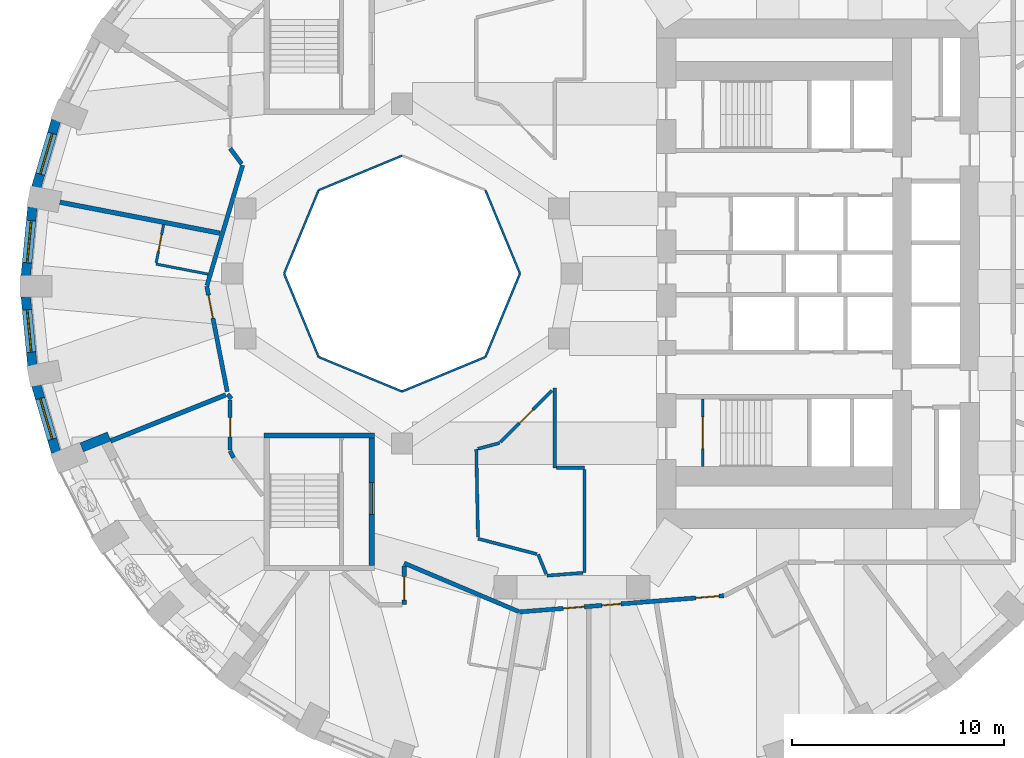
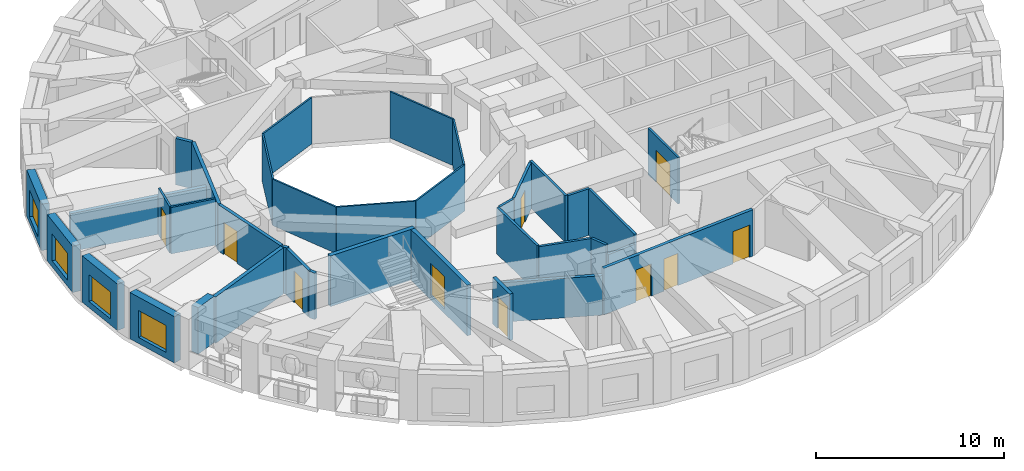
# One storey, part 4 of 12: 37 walls, 10 doors, 4 windows, 14 openings.
"""IFC4 building model written with IfcOpenShell, lengths in metres."""

from ifc_helpers import new_model, si_unit, direction, frame, frame_2d, origin, place, context, subcontext, project, spatial, rectangle, extrude, material, layer, layer_set, type_object, element, fill, save


model = new_model("IFC4")

# Units and contexts
model_context = context("Model", 3, precision=1e-05, world=origin(), true_north=direction((0.0, 1.0)))
body_context = subcontext(model_context, "Body", "Model", "MODEL_VIEW")
ifc_project = project(units=[si_unit("LENGTHUNIT", "METRE"), si_unit("AREAUNIT", "SQUARE_METRE"), si_unit("VOLUMEUNIT", "CUBIC_METRE"), si_unit("PLANEANGLEUNIT", "RADIAN"), si_unit("MASSUNIT", "GRAM", prefix="KILO")], contexts=[model_context])

# Site, building, storey
site_placement = place(None, origin())
site = spatial("IfcSite", under=ifc_project, at=site_placement, CompositionType="ELEMENT")
building_placement = place(site_placement, origin())
building = spatial("IfcBuilding", under=site, at=building_placement, Name="Taillehof Tower", CompositionType="ELEMENT")
storey_placement = place(building_placement, frame((0.0, 0.0, 92.199951171875)))
storey = spatial("IfcBuildingStorey", under=building, at=storey_placement, Name="L25", CompositionType="ELEMENT", Elevation=92.199951171875)

# Walls
ifc_material_1 = material(Name="Fire-resisting glass in steel frame", Category="steel")
ifc_layer_1 = layer(ifc_material_1, 0.10009765625)
ifc_layer_set_1 = layer_set([ifc_layer_1], Name="Atrium fire-resisting screen EI 60 100")
wall_type_1 = type_object("IfcWallType", Name="Atrium fire-resisting screen EI 60 100", PredefinedType="PARTITIONING", material=ifc_layer_set_1)
for number, where, z_axis, x_axis, name in (
    (1, (-2.44580078125, 0.0, 0.0), (0.0, 0.0, 1.0), (-0.382730523909, -0.923860025149, 0.0), "Atrium screen"),
    (2, (-4.07275390625, -3.92724609375, 0.0), (0.0, 0.0, 1.0), (-0.923860025149, -0.382730523909, 0.0), "Atrium screen"),
    (3, (-8.0, -5.55419921875, 0.0), (0.0, 0.0, 1.0), (-0.923860025149, 0.382730523909, 0.0), "Atrium screen"),
    (4, (-11.92724609375, -3.92724609375, 0.0), (0.0, 0.0, 1.0), (-0.382730523909, 0.923860025149, 0.0), "Atrium screen"),
    (5, (-13.55419921875, 0.0, 0.0), (0.0, 0.0, 1.0), (0.382730523909, 0.923860025149, 0.0), "Atrium screen"),
    (6, (-11.92724609375, 3.92724609375, 0.0), (0.0, 0.0, 1.0), (0.923860025149, 0.382730523909, 0.0), "Atrium screen"),
    (7, (-4.07275390625, 3.92724609375, 0.0), (0.0, 0.0, 1.0), (0.382730523909, -0.923860025149, 0.0), "Atrium screen"),
):
    element("IfcWall", number, at=place(storey_placement, frame(where, z_axis=z_axis, x_axis=x_axis)), inside=storey, type_object=wall_type_1, Name=name, PredefinedType="PARTITIONING", context=body_context, shape_type="SweptSolid", body=[
        extrude(rectangle(XDim=4.2509765625, YDim=0.10009765625, at=frame_2d((2.12548828125, 0.0))), origin(), (0.0, 0.0, 1.0), 3.02001953125),
    ])

# Wall, opening, window
ifc_material_2 = material(Name="Brick masonry", Category="masonry")
ifc_layer_2 = layer(ifc_material_2, 0.449951171875)
ifc_layer_set_2 = layer_set([ifc_layer_2], Name="Brick infill wall 450")
wall_type_2 = type_object("IfcWallType", Name="Brick infill wall 450", PredefinedType="SOLIDWALL", material=ifc_layer_set_2)
wall_1_placement = place(storey_placement, frame((-24.302001953125, 7.220703125, 0.0), z_axis=(0.0, 0.0, 1.0), x_axis=(-0.283071248438, -0.959098883488, 0.0)))
wall_1 = element("IfcWall", 8, at=wall_1_placement, inside=storey, type_object=wall_type_2, Name="Brick wall L25 bay 17", PredefinedType="SOLIDWALL", context=body_context, shape_type="SweptSolid", body=[
    extrude(rectangle(XDim=3.2861328125, YDim=0.449951171875, at=frame_2d((1.64306640625, 0.0))), origin(), (0.0, 0.0, 1.0), 3.02001953125),
])
opening_1_placement = place(wall_1_placement, frame((0.64306640625, 0.0, 0.39990234375)))
opening_1 = element("IfcOpeningElement", 9, at=opening_1_placement, cuts=wall_1, Name="Opening W2", PredefinedType="OPENING", context=body_context, shape_type="SweptSolid", body=[
    extrude(rectangle(XDim=2.0, YDim=1.75, at=frame_2d((1.0, 0.875))), frame((0.0, 0.23486328125, 0.0), z_axis=(0.0, -1.0, 0.0), x_axis=(1.0, 0.0, 0.0)), (0.0, 0.0, 1.0), 0.469970703125),
])
ifc_material_3 = material(Name="Aluminium window frame with clear double glazing", Category="aluminium")
window_type = type_object("IfcWindowType", Name="Deep-set window 2000x1750", PartitioningType="SINGLE_PANEL", PredefinedType="WINDOW", material=ifc_material_3)
window_1_placement = place(opening_1_placement, origin())
window_1 = element("IfcWindow", 10, at=window_1_placement, inside=storey, type_object=window_type, Name="W2", OverallHeight=1.75, OverallWidth=2.0, PartitioningType="SINGLE_PANEL", PredefinedType="WINDOW", context=body_context, shape_type="SweptSolid", body=[
    extrude(rectangle(XDim=2.0, YDim=1.75, at=frame_2d((1.0, 0.875))), frame((0.0, 0.034912109375, 0.0), z_axis=(0.0, -1.0, 0.0), x_axis=(1.0, 0.0, 0.0)), (0.0, 0.0, 1.0), 0.06005859375),
])
fill(opening_1, window_1)

wall_2_placement = place(storey_placement, frame((-25.414794921875, 3.12646484375, 0.0), z_axis=(0.0, 0.0, 1.0), x_axis=(-0.095967726544, -0.995384446062, 0.0)))
wall_2 = element("IfcWall", 11, at=wall_2_placement, inside=storey, type_object=wall_type_2, Name="Brick wall L25 bay 18", PredefinedType="SOLIDWALL", context=body_context, shape_type="SweptSolid", body=[
    extrude(rectangle(XDim=3.261474609375, YDim=0.449951171875, at=frame_2d((1.630859375, 0.0))), origin(), (0.0, 0.0, 1.0), 3.02001953125),
])
opening_2_placement = place(wall_2_placement, frame((0.630615234375, 0.0, 0.39990234375)))
opening_2 = element("IfcOpeningElement", 12, at=opening_2_placement, cuts=wall_2, Name="Opening W2", PredefinedType="OPENING", context=body_context, shape_type="SweptSolid", body=[
    extrude(rectangle(XDim=2.0, YDim=1.75, at=frame_2d((1.0, 0.875))), frame((0.0, 0.23486328125, 0.0), z_axis=(0.0, -1.0, 0.0), x_axis=(1.0, 0.0, 0.0)), (0.0, 0.0, 1.0), 0.469970703125),
])
window_2_placement = place(opening_2_placement, origin())
window_2 = element("IfcWindow", 13, at=window_2_placement, inside=storey, type_object=window_type, Name="W2", OverallHeight=1.75, OverallWidth=2.0, PartitioningType="SINGLE_PANEL", PredefinedType="WINDOW", context=body_context, shape_type="SweptSolid", body=[
    extrude(rectangle(XDim=2.0, YDim=1.75, at=frame_2d((1.0, 0.875))), frame((0.0, 0.034912109375, 0.0), z_axis=(0.0, -1.0, 0.0), x_axis=(1.0, 0.0, 0.0)), (0.0, 0.0, 1.0), 0.06005859375),
])
fill(opening_2, window_2)

wall_3_placement = place(storey_placement, frame((-25.727783203125, -1.080078125, 0.0), z_axis=(0.0, 0.0, 1.0), x_axis=(0.095967726544, -0.995384446062, 0.0)))
wall_3 = element("IfcWall", 14, at=wall_3_placement, inside=storey, type_object=wall_type_2, Name="Brick wall L25 bay 19", PredefinedType="SOLIDWALL", context=body_context, shape_type="SweptSolid", body=[
    extrude(rectangle(XDim=3.261474609375, YDim=0.449951171875, at=frame_2d((1.630859375, 0.0))), origin(), (0.0, 0.0, 1.0), 3.02001953125),
])
opening_3_placement = place(wall_3_placement, frame((0.630615234375, 0.0, 0.39990234375)))
opening_3 = element("IfcOpeningElement", 15, at=opening_3_placement, cuts=wall_3, Name="Opening W2", PredefinedType="OPENING", context=body_context, shape_type="SweptSolid", body=[
    extrude(rectangle(XDim=2.0, YDim=1.75, at=frame_2d((1.0, 0.875))), frame((0.0, 0.23486328125, 0.0), z_axis=(0.0, -1.0, 0.0), x_axis=(1.0, 0.0, 0.0)), (0.0, 0.0, 1.0), 0.469970703125),
])
window_3_placement = place(opening_3_placement, origin())
window_3 = element("IfcWindow", 16, at=window_3_placement, inside=storey, type_object=window_type, Name="W2", OverallHeight=1.75, OverallWidth=2.0, PartitioningType="SINGLE_PANEL", PredefinedType="WINDOW", context=body_context, shape_type="SweptSolid", body=[
    extrude(rectangle(XDim=2.0, YDim=1.75, at=frame_2d((1.0, 0.875))), frame((0.0, 0.034912109375, 0.0), z_axis=(0.0, -1.0, 0.0), x_axis=(1.0, 0.0, 0.0)), (0.0, 0.0, 1.0), 0.06005859375),
])
fill(opening_3, window_3)

wall_4_placement = place(storey_placement, frame((-25.232177734375, -5.26904296875, 0.0), z_axis=(0.0, 0.0, 1.0), x_axis=(0.283051078697, -0.959104836214, 0.0)))
wall_4 = element("IfcWall", 17, at=wall_4_placement, inside=storey, type_object=wall_type_2, Name="Brick wall L25 bay 20", PredefinedType="SOLIDWALL", context=body_context, shape_type="SweptSolid", body=[
    extrude(rectangle(XDim=3.2861328125, YDim=0.449951171875, at=frame_2d((1.64306640625, 0.0))), origin(), (0.0, 0.0, 1.0), 3.02001953125),
])
opening_4_placement = place(wall_4_placement, frame((0.64306640625, 0.0, 0.39990234375)))
opening_4 = element("IfcOpeningElement", 18, at=opening_4_placement, cuts=wall_4, Name="Opening W2", PredefinedType="OPENING", context=body_context, shape_type="SweptSolid", body=[
    extrude(rectangle(XDim=2.0, YDim=1.75, at=frame_2d((1.0, 0.875))), frame((0.0, 0.23486328125, 0.0), z_axis=(0.0, -1.0, 0.0), x_axis=(1.0, 0.0, 0.0)), (0.0, 0.0, 1.0), 0.469970703125),
])
window_4_placement = place(opening_4_placement, origin())
window_4 = element("IfcWindow", 19, at=window_4_placement, inside=storey, type_object=window_type, Name="W2", OverallHeight=1.75, OverallWidth=2.0, PartitioningType="SINGLE_PANEL", PredefinedType="WINDOW", context=body_context, shape_type="SweptSolid", body=[
    extrude(rectangle(XDim=2.0, YDim=1.75, at=frame_2d((1.0, 0.875))), frame((0.0, 0.034912109375, 0.0), z_axis=(0.0, -1.0, 0.0), x_axis=(1.0, 0.0, 0.0)), (0.0, 0.0, 1.0), 0.06005859375),
])
fill(opening_4, window_4)

# Walls
wall_5_placement = place(storey_placement, frame((-23.09326171875, -8.18701171875, 0.0), z_axis=(0.0, 0.0, 1.0), x_axis=(0.928549333349, 0.371209018665, 0.0)))
element("IfcWall", 20, at=wall_5_placement, inside=storey, type_object=wall_type_2, Name="Brick reveal L25 pocket 6", PredefinedType="SOLIDWALL", context=body_context, shape_type="SweptSolid", body=[
    extrude(rectangle(XDim=1.390380859375, YDim=0.449951171875, at=frame_2d((0.6953125, 0.0))), origin(), (0.0, 0.0, 1.0), 3.02001953125),
])
ifc_material_4 = material(Name="Gypsum board on steel studs, two layers each side", Category="steel")
ifc_layer_3 = layer(ifc_material_4, 0.199951171875)
ifc_layer_set_3 = layer_set([ifc_layer_3], Name="Compartment wall corridor 200")
wall_type_3 = type_object("IfcWallType", Name="Compartment wall corridor 200", PredefinedType="PARTITIONING", material=ifc_layer_set_3)
wall_6_placement = place(storey_placement, frame((-15.937744140625, -8.67626953125, 0.0), z_axis=(0.0, 0.0, 1.0), x_axis=(-0.456525695549, 0.889710227717, 0.0)))
element("IfcWall", 21, at=wall_6_placement, inside=storey, type_object=wall_type_3, Name="Compartment wall", PredefinedType="PARTITIONING", context=body_context, shape_type="SweptSolid", body=[
    extrude(rectangle(XDim=0.355712890625, YDim=0.199951171875, at=frame_2d((0.177734375, 0.0))), origin(), (0.0, 0.0, 1.0), 3.02001953125),
])

# Wall, opening, door
wall_7_placement = place(storey_placement, frame((-16.10009765625, -8.31982421875, 0.0), z_axis=(0.0, 0.0, 1.0), x_axis=(0.0, 1.0, 0.0)))
wall_7 = element("IfcWall", 22, at=wall_7_placement, inside=storey, type_object=wall_type_3, Name="Compartment wall", PredefinedType="PARTITIONING", context=body_context, shape_type="SweptSolid", body=[
    extrude(rectangle(XDim=2.35986328125, YDim=0.199951171875, at=frame_2d((1.179931640625, 0.0))), origin(), (0.0, 0.0, 1.0), 3.02001953125),
])
opening_5_placement = place(wall_7_placement, frame((0.6279296875, 0.0, 0.0)))
opening_5 = element("IfcOpeningElement", 23, at=opening_5_placement, cuts=wall_7, Name="Opening D2552", PredefinedType="OPENING", context=body_context, shape_type="SweptSolid", body=[
    extrude(rectangle(XDim=0.89990234375, YDim=2.10009765625, at=frame_2d((0.449951171875, 1.050048828125))), frame((0.0, 0.10986328125, 0.0), z_axis=(0.0, -1.0, 0.0), x_axis=(1.0, 0.0, 0.0)), (0.0, 0.0, 1.0), 0.219970703125),
])
ifc_material_5 = material(Name="Timber door leaf in steel frame", Category="steel")
door_type_1 = type_object("IfcDoorType", Name="Service room door EI 30 900 x 2100", OperationType="SINGLE_SWING_LEFT", PredefinedType="DOOR", material=ifc_material_5)
door_1_placement = place(opening_5_placement, origin())
door_1 = element("IfcDoor", 24, at=door_1_placement, inside=storey, type_object=door_type_1, Name="D2552", OperationType="SINGLE_SWING_RIGHT", OverallHeight=2.10009765625, OverallWidth=0.89990234375, PredefinedType="DOOR", context=body_context, shape_type="SweptSolid", body=[
    extrude(rectangle(XDim=0.89990234375, YDim=2.10009765625, at=frame_2d((0.449951171875, 1.050048828125))), frame((0.0, 0.02490234375, 0.0), z_axis=(0.0, -1.0, 0.0), x_axis=(1.0, 0.0, 0.0)), (0.0, 0.0, 1.0), 0.050048828125),
])
fill(opening_5, door_1)

# Wall
wall_8_placement = place(storey_placement, frame((-16.041015625, -5.89990234375, 0.0), z_axis=(0.0, 0.0, 1.0), x_axis=(-0.612489897904, 0.790478415243, 0.0)))
element("IfcWall", 25, at=wall_8_placement, inside=storey, type_object=wall_type_3, Name="Compartment wall", PredefinedType="PARTITIONING", context=body_context, shape_type="SweptSolid", body=[
    extrude(rectangle(XDim=0.27978515625, YDim=0.199951171875, at=frame_2d((0.139892578125, 0.0))), origin(), (0.0, 0.0, 1.0), 3.02001953125),
])

# Wall, opening, door
wall_9_placement = place(storey_placement, frame((-16.23583984375, -5.5615234375, 0.0), z_axis=(0.0, 0.0, 1.0), x_axis=(-0.190753296708, 0.981638008532, 0.0)))
wall_9 = element("IfcWall", 26, at=wall_9_placement, inside=storey, type_object=wall_type_3, Name="Compartment wall", PredefinedType="PARTITIONING", context=body_context, shape_type="SweptSolid", body=[
    extrude(rectangle(XDim=5.05419921875, YDim=0.199951171875, at=frame_2d((2.527099609375, 0.0))), origin(), (0.0, 0.0, 1.0), 3.02001953125),
])
opening_6_placement = place(wall_9_placement, frame((3.527587890625, 0.0, 0.0)))
opening_6 = element("IfcOpeningElement", 27, at=opening_6_placement, cuts=wall_9, Name="Opening D2550", PredefinedType="OPENING", context=body_context, shape_type="SweptSolid", body=[
    extrude(rectangle(XDim=1.10009765625, YDim=2.10009765625, at=frame_2d((0.550048828125, 1.050048828125))), frame((0.0, 0.10986328125, 0.0), z_axis=(0.0, -1.0, 0.0), x_axis=(1.0, 0.0, 0.0)), (0.0, 0.0, 1.0), 0.219970703125),
])
ifc_material_6 = material(Name="Timber door leaf in steel frame", Category="steel")
door_type_2 = type_object("IfcDoorType", Name="Suite entrance door EI 30 1100 x 2100", OperationType="SINGLE_SWING_LEFT", PredefinedType="DOOR", material=ifc_material_6)
door_2_placement = place(opening_6_placement, origin())
door_2 = element("IfcDoor", 28, at=door_2_placement, inside=storey, type_object=door_type_2, Name="D2550", OperationType="SINGLE_SWING_RIGHT", OverallHeight=2.10009765625, OverallWidth=1.10009765625, PredefinedType="DOOR", context=body_context, shape_type="SweptSolid", body=[
    extrude(rectangle(XDim=1.10009765625, YDim=2.10009765625, at=frame_2d((0.550048828125, 1.050048828125))), frame((0.0, 0.02490234375, 0.0), z_axis=(0.0, -1.0, 0.0), x_axis=(1.0, 0.0, 0.0)), (0.0, 0.0, 1.0), 0.050048828125),
])
fill(opening_6, door_2)

# Walls
wall_10_placement = place(storey_placement, frame((-17.188720703125, -0.5615234375, 0.0), z_axis=(0.0, 0.0, 1.0), x_axis=(0.28454253649, 0.95866341587, 0.0)))
element("IfcWall", 29, at=wall_10_placement, inside=storey, type_object=wall_type_3, Name="Compartment wall", PredefinedType="PARTITIONING", context=body_context, shape_type="SweptSolid", body=[
    extrude(rectangle(XDim=5.910888671875, YDim=0.199951171875, at=frame_2d((2.95556640625, 0.0))), origin(), (0.0, 0.0, 1.0), 3.02001953125),
])
wall_11_placement = place(storey_placement, frame((-15.5546875, 5.16943359375, 0.0), z_axis=(0.0, 0.0, 1.0), x_axis=(-0.598284647233, 0.801283645712, 0.0)))
element("IfcWall", 30, at=wall_11_placement, inside=storey, type_object=wall_type_3, Name="Compartment wall", PredefinedType="PARTITIONING", context=body_context, shape_type="SweptSolid", body=[
    extrude(rectangle(XDim=0.91162109375, YDim=0.199951171875, at=frame_2d((0.455810546875, 0.0))), origin(), (0.0, 0.0, 1.0), 3.02001953125),
])

# Wall, openings, doors
wall_12_placement = place(storey_placement, frame((7.157958984375, -15.17822265625, 0.0), z_axis=(0.0, 0.0, 1.0), x_axis=(-0.996871915552, -0.0790340685, 0.0)))
wall_12 = element("IfcWall", 31, at=wall_12_placement, inside=storey, type_object=wall_type_3, Name="Compartment wall", PredefinedType="PARTITIONING", context=body_context, shape_type="SweptSolid", body=[
    extrude(rectangle(XDim=9.647216796875, YDim=0.199951171875, at=frame_2d((4.82373046875, 0.0))), origin(), (0.0, 0.0, 1.0), 3.02001953125),
])
opening_7_placement = place(wall_12_placement, frame((6.587890625, 0.0, 0.0)))
opening_7 = element("IfcOpeningElement", 32, at=opening_7_placement, cuts=wall_12, Name="Opening D2555", PredefinedType="OPENING", context=body_context, shape_type="SweptSolid", body=[
    extrude(rectangle(XDim=1.0, YDim=2.10009765625, at=frame_2d((0.5, 1.050048828125))), frame((0.0, 0.10986328125, 0.0), z_axis=(0.0, -1.0, 0.0), x_axis=(1.0, 0.0, 0.0)), (0.0, 0.0, 1.0), 0.219970703125),
])
opening_8_placement = place(wall_12_placement, frame((4.85546875, 0.0, 0.0)))
opening_8 = element("IfcOpeningElement", 33, at=opening_8_placement, cuts=wall_12, Name="Opening D2557", PredefinedType="OPENING", context=body_context, shape_type="SweptSolid", body=[
    extrude(rectangle(XDim=0.89990234375, YDim=2.10009765625, at=frame_2d((0.449951171875, 1.050048828125))), frame((0.0, 0.10986328125, 0.0), z_axis=(0.0, -1.0, 0.0), x_axis=(1.0, 0.0, 0.0)), (0.0, 0.0, 1.0), 0.219970703125),
])
opening_9_placement = place(wall_12_placement, frame((0.219970703125, 0.0, 0.0)))
opening_9 = element("IfcOpeningElement", 34, at=opening_9_placement, cuts=wall_12, Name="Opening D2558", PredefinedType="OPENING", context=body_context, shape_type="SweptSolid", body=[
    extrude(rectangle(XDim=1.10009765625, YDim=2.10009765625, at=frame_2d((0.550048828125, 1.050048828125))), frame((0.0, 0.10986328125, 0.0), z_axis=(0.0, -1.0, 0.0), x_axis=(1.0, 0.0, 0.0)), (0.0, 0.0, 1.0), 0.219970703125),
])
ifc_material_7 = material(Name="Timber door leaf in steel frame", Category="steel")
door_type_3 = type_object("IfcDoorType", Name="Guest room door EI 30 1000 x 2100", OperationType="SINGLE_SWING_LEFT", PredefinedType="DOOR", material=ifc_material_7)
door_3_placement = place(opening_7_placement, origin())
door_3 = element("IfcDoor", 35, at=door_3_placement, inside=storey, type_object=door_type_3, Name="D2555", OperationType="SINGLE_SWING_LEFT", OverallHeight=2.10009765625, OverallWidth=1.0, PredefinedType="DOOR", context=body_context, shape_type="SweptSolid", body=[
    extrude(rectangle(XDim=1.0, YDim=2.10009765625, at=frame_2d((0.5, 1.050048828125))), frame((0.0, 0.02490234375, 0.0), z_axis=(0.0, -1.0, 0.0), x_axis=(1.0, 0.0, 0.0)), (0.0, 0.0, 1.0), 0.050048828125),
])
fill(opening_7, door_3)
door_4_placement = place(opening_8_placement, origin())
door_4 = element("IfcDoor", 36, at=door_4_placement, inside=storey, type_object=door_type_1, Name="D2557", OperationType="SINGLE_SWING_RIGHT", OverallHeight=2.10009765625, OverallWidth=0.89990234375, PredefinedType="DOOR", context=body_context, shape_type="SweptSolid", body=[
    extrude(rectangle(XDim=0.89990234375, YDim=2.10009765625, at=frame_2d((0.449951171875, 1.050048828125))), frame((0.0, 0.02490234375, 0.0), z_axis=(0.0, -1.0, 0.0), x_axis=(1.0, 0.0, 0.0)), (0.0, 0.0, 1.0), 0.050048828125),
])
fill(opening_8, door_4)
door_5_placement = place(opening_9_placement, origin())
door_5 = element("IfcDoor", 37, at=door_5_placement, inside=storey, type_object=door_type_2, Name="D2558", OperationType="SINGLE_SWING_RIGHT", OverallHeight=2.10009765625, OverallWidth=1.10009765625, PredefinedType="DOOR", context=body_context, shape_type="SweptSolid", body=[
    extrude(rectangle(XDim=1.10009765625, YDim=2.10009765625, at=frame_2d((0.550048828125, 1.050048828125))), frame((0.0, 0.02490234375, 0.0), z_axis=(0.0, -1.0, 0.0), x_axis=(1.0, 0.0, 0.0)), (0.0, 0.0, 1.0), 0.050048828125),
])
fill(opening_9, door_5)

# Wall
wall_13_placement = place(storey_placement, frame((-2.49560546875, -15.925048828125, 0.0), z_axis=(0.0, 0.0, 1.0), x_axis=(-0.921239287596, 0.388996368864, 0.0)))
element("IfcWall", 38, at=wall_13_placement, inside=storey, type_object=wall_type_3, Name="Compartment wall", PredefinedType="PARTITIONING", context=body_context, shape_type="SweptSolid", body=[
    extrude(rectangle(XDim=5.866455078125, YDim=0.199951171875, at=frame_2d((2.93310546875, 0.0))), origin(), (0.0, 0.0, 1.0), 2.570068359375),
])

# Wall, opening, door
wall_14_placement = place(storey_placement, frame((-7.89990234375, -13.783203125, 0.0), z_axis=(0.0, 0.0, 1.0), x_axis=(0.0, -1.0, 0.0)))
wall_14 = element("IfcWall", 39, at=wall_14_placement, inside=storey, type_object=wall_type_3, Name="Compartment wall", PredefinedType="PARTITIONING", context=body_context, shape_type="SweptSolid", body=[
    extrude(rectangle(XDim=1.81689453125, YDim=0.199951171875, at=frame_2d((0.908447265625, 0.0))), origin(), (0.0, 0.0, 1.0), 3.02001953125),
])
opening_10_placement = place(wall_14_placement, frame((0.496826171875, 0.0, 0.0)))
opening_10 = element("IfcOpeningElement", 40, at=opening_10_placement, cuts=wall_14, Name="Opening D2553", PredefinedType="OPENING", context=body_context, shape_type="SweptSolid", body=[
    extrude(rectangle(XDim=1.10009765625, YDim=2.10009765625, at=frame_2d((0.550048828125, 1.050048828125))), frame((0.0, 0.10986328125, 0.0), z_axis=(0.0, -1.0, 0.0), x_axis=(1.0, 0.0, 0.0)), (0.0, 0.0, 1.0), 0.219970703125),
])
door_6_placement = place(opening_10_placement, origin())
door_6 = element("IfcDoor", 41, at=door_6_placement, inside=storey, type_object=door_type_2, Name="D2553", OperationType="SINGLE_SWING_LEFT", OverallHeight=2.10009765625, OverallWidth=1.10009765625, PredefinedType="DOOR", context=body_context, shape_type="SweptSolid", body=[
    extrude(rectangle(XDim=1.10009765625, YDim=2.10009765625, at=frame_2d((0.550048828125, 1.050048828125))), frame((0.0, 0.02490234375, 0.0), z_axis=(0.0, -1.0, 0.0), x_axis=(1.0, 0.0, 0.0)), (0.0, 0.0, 1.0), 0.050048828125),
])
fill(opening_10, door_6)

# Walls
ifc_material_8 = material(Name="Gypsum board on double steel studs with mineral wool", Category="steel")
ifc_layer_4 = layer(ifc_material_8, 0.219970703125)
ifc_layer_set_4 = layer_set([ifc_layer_4], Name="Compartment wall guest room 220")
wall_type_4 = type_object("IfcWallType", Name="Compartment wall guest room 220", PredefinedType="PARTITIONING", material=ifc_layer_set_4)
wall_15_placement = place(storey_placement, frame((-24.117919921875, 3.3642578125, 0.0), z_axis=(0.0, 0.0, 1.0), x_axis=(0.981759939745, -0.19012475039, 0.0)))
element("IfcWall", 42, at=wall_15_placement, inside=storey, type_object=wall_type_4, Name="Compartment wall", PredefinedType="PARTITIONING", context=body_context, shape_type="SweptSolid", body=[
    extrude(rectangle(XDim=7.676513671875, YDim=0.219970703125, at=frame_2d((3.83837890625, 0.0))), origin(), (0.0, 0.0, 1.0), 2.469970703125),
])
wall_16_placement = place(storey_placement, frame((-21.735595703125, -7.88671875, 0.0), z_axis=(0.0, 0.0, 1.0), x_axis=(0.928522746632, 0.371275516277, 0.0)))
element("IfcWall", 43, at=wall_16_placement, inside=storey, type_object=wall_type_4, Name="Compartment wall", PredefinedType="PARTITIONING", context=body_context, shape_type="SweptSolid", body=[
    extrude(rectangle(XDim=5.848388671875, YDim=0.219970703125, at=frame_2d((2.92431640625, 0.0))), origin(), (0.0, 0.0, 1.0), 3.02001953125),
])
ifc_material_9 = material(Name="Gypsum board on steel studs, two layers each side", Category="steel")
ifc_layer_5 = layer(ifc_material_9, 0.14990234375)
ifc_layer_set_5 = layer_set([ifc_layer_5], Name="Compartment wall service room 150")
wall_type_5 = type_object("IfcWallType", Name="Compartment wall service room 150", PredefinedType="PARTITIONING", material=ifc_layer_set_5)
wall_17_placement = place(storey_placement, frame((-0.800048828125, -5.386474609375, 0.0), z_axis=(0.0, 0.0, 1.0), x_axis=(0.0, -1.0, 0.0)))
element("IfcWall", 44, at=wall_17_placement, inside=storey, type_object=wall_type_5, Name="Compartment wall", PredefinedType="PARTITIONING", context=body_context, shape_type="SweptSolid", body=[
    extrude(rectangle(XDim=3.763427734375, YDim=0.14990234375, at=frame_2d((1.8818359375, 0.0))), origin(), (0.0, 0.0, 1.0), 3.02001953125),
])
wall_18_placement = place(storey_placement, frame((-0.719970703125, -9.14990234375, 0.0), z_axis=(0.0, 0.0, 1.0), x_axis=(1.0, 0.0, 0.0)))
element("IfcWall", 45, at=wall_18_placement, inside=storey, type_object=wall_type_5, Name="Compartment wall", PredefinedType="PARTITIONING", context=body_context, shape_type="SweptSolid", body=[
    extrude(rectangle(XDim=1.320068359375, YDim=0.14990234375, at=frame_2d((0.66015625, 0.0))), origin(), (0.0, 0.0, 1.0), 3.02001953125),
])
wall_19_placement = place(storey_placement, frame((0.60009765625, -9.22998046875, 0.0), z_axis=(0.0, 0.0, 1.0), x_axis=(0.0, -1.0, 0.0)))
element("IfcWall", 46, at=wall_19_placement, inside=storey, type_object=wall_type_5, Name="Compartment wall", PredefinedType="PARTITIONING", context=body_context, shape_type="SweptSolid", body=[
    extrude(rectangle(XDim=4.863037109375, YDim=0.14990234375, at=frame_2d((2.431640625, 0.0))), origin(), (0.0, 0.0, 1.0), 3.02001953125),
])
wall_20_placement = place(storey_placement, frame((0.52001953125, -14.098876953125, 0.0), z_axis=(0.0, 0.0, 1.0), x_axis=(-0.99684577893, -0.079363045745, 0.0)))
element("IfcWall", 47, at=wall_20_placement, inside=storey, type_object=wall_type_5, Name="Compartment wall", PredefinedType="PARTITIONING", context=body_context, shape_type="SweptSolid", body=[
    extrude(rectangle(XDim=1.701171875, YDim=0.14990234375, at=frame_2d((0.8505859375, 0.0))), origin(), (0.0, 0.0, 1.0), 2.420166015625),
])
wall_21_placement = place(storey_placement, frame((-1.2060546875, -14.15966796875, 0.0), z_axis=(0.0, 0.0, 1.0), x_axis=(-0.378813066595, 0.925473209, 0.0)))
element("IfcWall", 48, at=wall_21_placement, inside=storey, type_object=wall_type_5, Name="Compartment wall", PredefinedType="PARTITIONING", context=body_context, shape_type="SweptSolid", body=[
    extrude(rectangle(XDim=1.002197265625, YDim=0.14990234375, at=frame_2d((0.5009765625, 0.0))), origin(), (0.0, 0.0, 1.0), 3.02001953125),
])
wall_22_placement = place(storey_placement, frame((-1.6435546875, -13.216796875, 0.0), z_axis=(0.0, 0.0, 1.0), x_axis=(-0.967446197993, 0.253076774891, 0.0)))
element("IfcWall", 49, at=wall_22_placement, inside=storey, type_object=wall_type_5, Name="Compartment wall", PredefinedType="PARTITIONING", context=body_context, shape_type="SweptSolid", body=[
    extrude(rectangle(XDim=2.867919921875, YDim=0.14990234375, at=frame_2d((1.43408203125, 0.0))), origin(), (0.0, 0.0, 1.0), 3.02001953125),
])
wall_23_placement = place(storey_placement, frame((-4.420166015625, -12.410888671875, 0.0), z_axis=(0.0, 0.0, 1.0), x_axis=(-0.01930438501, 0.999813652997, 0.0)))
element("IfcWall", 50, at=wall_23_placement, inside=storey, type_object=wall_type_5, Name="Compartment wall", PredefinedType="PARTITIONING", context=body_context, shape_type="SweptSolid", body=[
    extrude(rectangle(XDim=4.135498046875, YDim=0.14990234375, at=frame_2d((2.06787109375, 0.0))), origin(), (0.0, 0.0, 1.0), 3.02001953125),
])
wall_24_placement = place(storey_placement, frame((-4.4228515625, -8.255615234375, 0.0), z_axis=(0.0, 0.0, 1.0), x_axis=(0.965880568435, 0.258987890683, 0.0)))
element("IfcWall", 51, at=wall_24_placement, inside=storey, type_object=wall_type_5, Name="Compartment wall", PredefinedType="PARTITIONING", context=body_context, shape_type="SweptSolid", body=[
    extrude(rectangle(XDim=1.066162109375, YDim=0.14990234375, at=frame_2d((0.533203125, 0.0))), origin(), (0.0, 0.0, 1.0), 3.02001953125),
])

# Wall, opening, door
wall_25_placement = place(storey_placement, frame((-3.36474609375, -7.951171875, 0.0), z_axis=(0.0, 0.0, 1.0), x_axis=(0.707106781187, 0.707106781187, 0.0)))
wall_25 = element("IfcWall", 52, at=wall_25_placement, inside=storey, type_object=wall_type_5, Name="Compartment wall", PredefinedType="PARTITIONING", context=body_context, shape_type="SweptSolid", body=[
    extrude(rectangle(XDim=3.44677734375, YDim=0.14990234375, at=frame_2d((1.723388671875, 0.0))), origin(), (0.0, 0.0, 1.0), 3.02001953125),
])
opening_11_placement = place(wall_25_placement, frame((1.2734375, 0.0, 0.0)))
opening_11 = element("IfcOpeningElement", 53, at=opening_11_placement, cuts=wall_25, Name="Opening D2566", PredefinedType="OPENING", context=body_context, shape_type="SweptSolid", body=[
    extrude(rectangle(XDim=0.89990234375, YDim=2.10009765625, at=frame_2d((0.449951171875, 1.050048828125))), frame((0.0, 0.0849609375, 0.0), z_axis=(0.0, -1.0, 0.0), x_axis=(1.0, 0.0, 0.0)), (0.0, 0.0, 1.0), 0.169921875),
])
door_7_placement = place(opening_11_placement, origin())
door_7 = element("IfcDoor", 54, at=door_7_placement, inside=storey, type_object=door_type_1, Name="D2566", OperationType="SINGLE_SWING_LEFT", OverallHeight=2.10009765625, OverallWidth=0.89990234375, PredefinedType="DOOR", context=body_context, shape_type="SweptSolid", body=[
    extrude(rectangle(XDim=0.89990234375, YDim=2.10009765625, at=frame_2d((0.449951171875, 1.050048828125))), frame((0.0, 0.02490234375, 0.0), z_axis=(0.0, -1.0, 0.0), x_axis=(1.0, 0.0, 0.0)), (0.0, 0.0, 1.0), 0.050048828125),
])
fill(opening_11, door_7)

# Wall
ifc_material_10 = material(Name="Gypsum board on steel studs, moisture resistant", Category="steel")
ifc_layer_6 = layer(ifc_material_10, 0.1201171875)
ifc_layer_set_6 = layer_set([ifc_layer_6], Name="En-suite wall 120")
wall_type_6 = type_object("IfcWallType", Name="En-suite wall 120", PredefinedType="PARTITIONING", material=ifc_layer_set_6)
wall_26_placement = place(storey_placement, frame((-17.1337890625, -0.025634765625, 0.0), z_axis=(0.0, 0.0, 1.0), x_axis=(-0.98174757037, 0.190188611835, 0.0)))
element("IfcWall", 55, at=wall_26_placement, inside=storey, type_object=wall_type_6, Name="En-suite wall", PredefinedType="PARTITIONING", context=body_context, shape_type="SweptSolid", body=[
    extrude(rectangle(XDim=2.50439453125, YDim=0.1201171875, at=frame_2d((1.252197265625, 0.0))), origin(), (0.0, 0.0, 1.0), 3.02001953125),
])

# Wall, opening, door
wall_27_placement = place(storey_placement, frame((-19.580810546875, 0.50927734375, 0.0), z_axis=(0.0, 0.0, 1.0), x_axis=(0.189826955452, 0.981817562984, 0.0)))
wall_27 = element("IfcWall", 56, at=wall_27_placement, inside=storey, type_object=wall_type_6, Name="En-suite wall", PredefinedType="PARTITIONING", context=body_context, shape_type="SweptSolid", body=[
    extrude(rectangle(XDim=1.830078125, YDim=0.1201171875, at=frame_2d((0.9150390625, 0.0))), origin(), (0.0, 0.0, 1.0), 3.02001953125),
])
opening_12_placement = place(wall_27_placement, frame((0.5400390625, 0.0, 0.0)))
opening_12 = element("IfcOpeningElement", 57, at=opening_12_placement, cuts=wall_27, Name="Opening D2551", PredefinedType="OPENING", context=body_context, shape_type="SweptSolid", body=[
    extrude(rectangle(XDim=0.800048828125, YDim=2.10009765625, at=frame_2d((0.39990234375, 1.050048828125))), frame((0.0, 0.070068359375, 0.0), z_axis=(0.0, -1.0, 0.0), x_axis=(1.0, 0.0, 0.0)), (0.0, 0.0, 1.0), 0.14013671875),
])
ifc_material_11 = material(Name="Timber door leaf in steel frame", Category="steel")
door_type_4 = type_object("IfcDoorType", Name="En-suite door 800 x 2100", OperationType="SINGLE_SWING_LEFT", PredefinedType="DOOR", material=ifc_material_11)
door_8_placement = place(opening_12_placement, origin())
door_8 = element("IfcDoor", 58, at=door_8_placement, inside=storey, type_object=door_type_4, Name="D2551", OperationType="SINGLE_SWING_RIGHT", OverallHeight=2.10009765625, OverallWidth=0.800048828125, PredefinedType="DOOR", context=body_context, shape_type="SweptSolid", body=[
    extrude(rectangle(XDim=0.800048828125, YDim=2.10009765625, at=frame_2d((0.39990234375, 1.050048828125))), frame((0.0, 0.02490234375, 0.0), z_axis=(0.0, -1.0, 0.0), x_axis=(1.0, 0.0, 0.0)), (0.0, 0.0, 1.0), 0.050048828125),
])
fill(opening_12, door_8)

ifc_material_12 = material(Name="Concrete C50/60", Category="concrete")
ifc_layer_7 = layer(ifc_material_12, 0.1201171875)
ifc_layer_set_7 = layer_set([ifc_layer_7], Name="Stair lobby wall C50/60 120")
wall_type_7 = type_object("IfcWallType", Name="Stair lobby wall C50/60 120", PredefinedType="SHEAR", material=ifc_layer_set_7)
wall_28_placement = place(storey_placement, frame((6.159912109375, -9.10009765625, 0.0), z_axis=(0.0, 0.0, 1.0), x_axis=(0.0, 1.0, 0.0)))
wall_28 = element("IfcWall", 59, at=wall_28_placement, inside=storey, type_object=wall_type_7, Name="Compartment wall SW", PredefinedType="SHEAR", context=body_context, shape_type="SweptSolid", body=[
    extrude(rectangle(XDim=3.2001953125, YDim=0.1201171875, at=frame_2d((1.60009765625, 0.0))), origin(), (0.0, 0.0, 1.0), 3.02001953125),
])
opening_13_placement = place(wall_28_placement, frame((0.85009765625, 0.0, 0.0)))
opening_13 = element("IfcOpeningElement", 60, at=opening_13_placement, cuts=wall_28, Name="Opening D2511", PredefinedType="OPENING", context=body_context, shape_type="SweptSolid", body=[
    extrude(rectangle(XDim=1.5, YDim=2.10009765625, at=frame_2d((0.75, 1.050048828125))), frame((0.0, 0.070068359375, 0.0), z_axis=(0.0, -1.0, 0.0), x_axis=(1.0, 0.0, 0.0)), (0.0, 0.0, 1.0), 0.14013671875),
])
ifc_material_13 = material(Name="Steel-faced fire door", Category="steel")
door_type_5 = type_object("IfcDoorType", Name="Stair door 1500x2100", OperationType="DOUBLE_DOOR_SINGLE_SWING", PredefinedType="DOOR", material=ifc_material_13)
door_9_placement = place(opening_13_placement, origin())
door_9 = element("IfcDoor", 61, at=door_9_placement, inside=storey, type_object=door_type_5, Name="Stair lobby door S2", OperationType="DOUBLE_DOOR_SINGLE_SWING", OverallHeight=2.10009765625, OverallWidth=1.5, PredefinedType="DOOR", context=body_context, shape_type="SweptSolid", body=[
    extrude(rectangle(XDim=1.5, YDim=2.10009765625, at=frame_2d((0.75, 1.050048828125))), frame((0.0, 0.02490234375, 0.0), z_axis=(0.0, -1.0, 0.0), x_axis=(1.0, 0.0, 0.0)), (0.0, 0.0, 1.0), 0.050048828125),
])
fill(opening_13, door_9)

ifc_material_14 = material(Name="Concrete C50/60", Category="concrete")
ifc_layer_8 = layer(ifc_material_14, 0.25)
ifc_layer_set_8 = layer_set([ifc_layer_8], Name="Stair wall C50/60 250")
wall_type_8 = type_object("IfcWallType", Name="Stair wall C50/60 250", PredefinedType="SHEAR", material=ifc_layer_set_8)
wall_29_placement = place(storey_placement, frame((-9.425048828125, -13.75, -0.280029296875), z_axis=(0.0, 0.0, 1.0), x_axis=(0.0, 1.0, 0.0)))
wall_29 = element("IfcWall", 62, at=wall_29_placement, inside=storey, type_object=wall_type_8, Name="Stair wall SC", PredefinedType="SHEAR", context=body_context, shape_type="SweptSolid", body=[
    extrude(rectangle(XDim=6.0, YDim=0.25, at=frame_2d((3.0, 0.0))), origin(), (0.0, 0.0, 1.0), 3.300048828125),
])
opening_14_placement = place(wall_29_placement, frame((2.39990234375, 0.0, 0.280029296875)))
opening_14 = element("IfcOpeningElement", 63, at=opening_14_placement, cuts=wall_29, Name="Opening D2520", PredefinedType="OPENING", context=body_context, shape_type="SweptSolid", body=[
    extrude(rectangle(XDim=1.5, YDim=2.10009765625, at=frame_2d((0.75, 1.050048828125))), frame((0.0, 0.135009765625, 0.0), z_axis=(0.0, -1.0, 0.0), x_axis=(1.0, 0.0, 0.0)), (0.0, 0.0, 1.0), 0.27001953125),
])
door_10_placement = place(opening_14_placement, origin())
door_10 = element("IfcDoor", 64, at=door_10_placement, inside=storey, type_object=door_type_5, Name="Stair door S4", OperationType="DOUBLE_DOOR_SINGLE_SWING", OverallHeight=2.10009765625, OverallWidth=1.5, PredefinedType="DOOR", context=body_context, shape_type="SweptSolid", body=[
    extrude(rectangle(XDim=1.5, YDim=2.10009765625, at=frame_2d((0.75, 1.050048828125))), frame((0.0, 0.02490234375, 0.0), z_axis=(0.0, -1.0, 0.0), x_axis=(1.0, 0.0, 0.0)), (0.0, 0.0, 1.0), 0.050048828125),
])
fill(opening_14, door_10)

# Wall
wall_30_placement = place(storey_placement, frame((-14.5, -7.625, -0.280029296875), z_axis=(0.0, 0.0, 1.0), x_axis=(1.0, 0.0, 0.0)))
element("IfcWall", 65, at=wall_30_placement, inside=storey, type_object=wall_type_8, Name="Stair wall SC", PredefinedType="SHEAR", context=body_context, shape_type="SweptSolid", body=[
    extrude(rectangle(XDim=5.199951171875, YDim=0.25, at=frame_2d((2.60009765625, 0.0))), origin(), (0.0, 0.0, 1.0), 3.300048828125),
])

save(model, "model.ifc")
